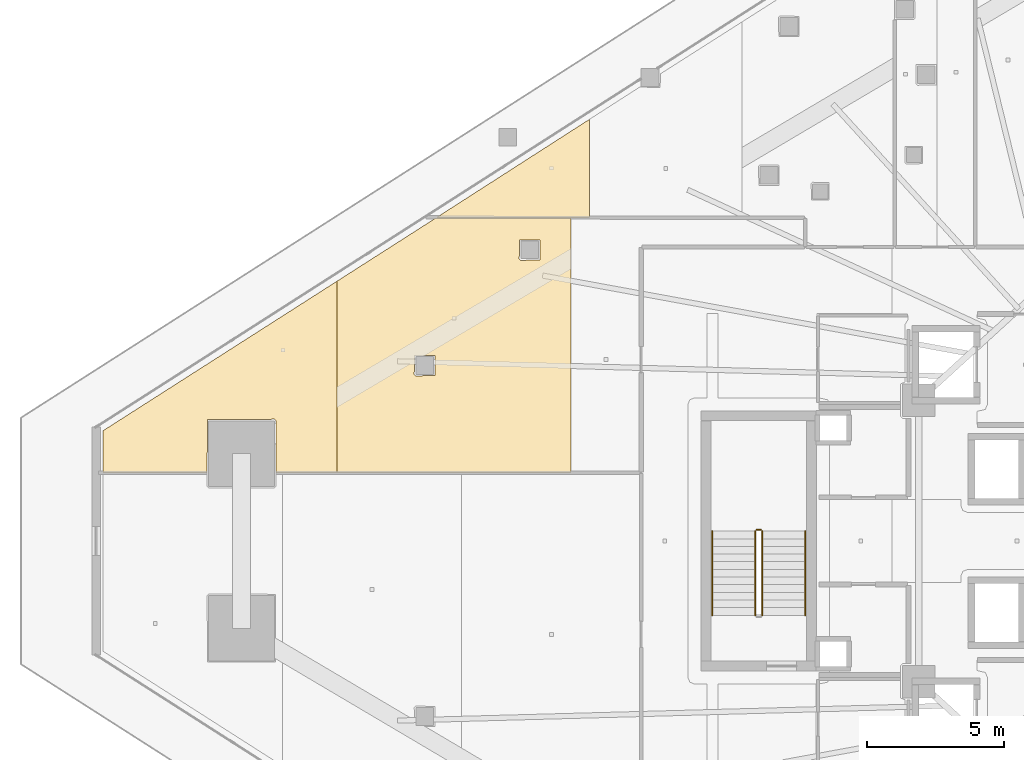
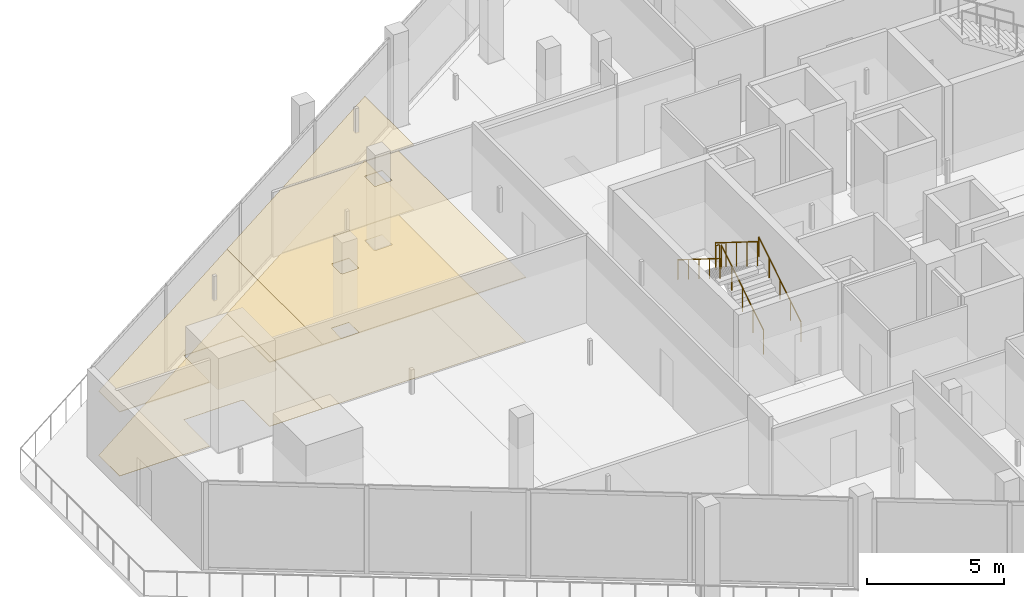
# One storey, part 40 of 44: 6 coverings, 5 railings.
"""IFC4 building model written with IfcOpenShell, lengths in metres."""

import ifcopenshell
import ifcopenshell.guid

model = None  # the IFC model being written
_history = None  # IfcOwnerHistory: only IFC2X3 demands one
_inside = {}  # id of a spatial element -> (the spatial element, [elements in it])
_under = {}  # id of a project, library or spatial element -> (it, [spatial elements below it])
_declared = {}  # id of a project -> (the project, [libraries it declares])
_typed = {}  # id of a type object -> (the type object, [elements of that type])
_made_of = {}  # id of a material, layer set ... -> (it, [elements and type objects made of it])


def new_model(schema):
    """Start an empty IFC model of exactly this schema.

    Asked for "IFC4X3", IfcOpenShell would pick the latest addendum, in which some entities
    have other attributes; the version numbers below select the first issue.
    IFC2X3 requires an IfcOwnerHistory on every rooted entity: one is made here for all.
    """
    global model, _history
    if schema == "IFC4X3":
        model = ifcopenshell.file(schema_version=(4, 3, 0, 0))
    else:
        model = ifcopenshell.file(schema=schema)
    _inside.clear()
    _under.clear()
    _declared.clear()
    _typed.clear()
    _made_of.clear()
    _history = None
    if model.schema == "IFC2X3":
        org = make("IfcOrganization", Name="unknown")
        user = make(
            "IfcPersonAndOrganization",
            ThePerson=make("IfcPerson", FamilyName="unknown"),
            TheOrganization=org,
        )
        app = make(
            "IfcApplication",
            ApplicationDeveloper=org,
            Version="unknown",
            ApplicationFullName="unknown",
            ApplicationIdentifier="unknown",
        )
        _history = make(
            "IfcOwnerHistory",
            OwningUser=user,
            OwningApplication=app,
            ChangeAction="ADDED",
            CreationDate=0,
        )
    return model


def make(cls, **values):
    """One entity of the class cls with the attributes given. An attribute that is None is left unset."""
    return model.create_entity(
        cls, **{name: value for name, value in values.items() if value is not None}
    )


def rooted(cls, **values):
    """An entity with a GlobalId (a new one), such as an element, a storey or a relation."""
    return make(cls, GlobalId=ifcopenshell.guid.new(), OwnerHistory=_history, **values)


def si_unit(unit_type, name, prefix=None):
    """IfcSIUnit, for example si_unit("LENGTHUNIT", "METRE", prefix="MILLI")."""
    return make("IfcSIUnit", UnitType=unit_type, Prefix=prefix, Name=name)


def assignment(units):
    """IfcUnitAssignment: the units of a project."""
    return None if units is None else make("IfcUnitAssignment", Units=units)


def point(xyz):
    """IfcCartesianPoint."""
    return None if xyz is None else make("IfcCartesianPoint", Coordinates=xyz)


def direction(xyz):
    """IfcDirection."""
    return None if xyz is None else make("IfcDirection", DirectionRatios=xyz)


def frame(location, z_axis=None, x_axis=None):
    """IfcAxis2Placement3D, a coordinate frame: its origin and axes. An axis left out is left unset."""
    return make(
        "IfcAxis2Placement3D",
        Location=point(location),
        Axis=direction(z_axis),
        RefDirection=direction(x_axis),
    )


def frame_2d(location, x_axis=None):
    """IfcAxis2Placement2D, a coordinate frame in the plane: its origin and x axis."""
    return make(
        "IfcAxis2Placement2D", Location=point(location), RefDirection=direction(x_axis)
    )


def origin():
    """The frame at (0, 0, 0) with its axes left unset."""
    return frame((0.0, 0.0, 0.0))


def origin_2d():
    """The frame at (0, 0) in the plane with its x axis left unset."""
    return frame_2d((0.0, 0.0))


def place(relative_to, where):
    """IfcLocalPlacement: puts the frame where relative to a parent placement (None: the world)."""
    return make(
        "IfcLocalPlacement", PlacementRelTo=relative_to, RelativePlacement=where
    )


def context(
    kind, dimensions, precision=None, world=None, true_north=None, identifier=None
):
    """IfcGeometricRepresentationContext, for example the 3D "Model" context."""
    return make(
        "IfcGeometricRepresentationContext",
        ContextIdentifier=identifier,
        ContextType=kind,
        CoordinateSpaceDimension=dimensions,
        Precision=precision,
        WorldCoordinateSystem=world,
        TrueNorth=true_north,
    )


def subcontext(parent, identifier, kind, view, scale=None):
    """IfcGeometricRepresentationSubContext, for example "Body" below "Model"."""
    return make(
        "IfcGeometricRepresentationSubContext",
        ContextIdentifier=identifier,
        ContextType=kind,
        ParentContext=parent,
        TargetScale=scale,
        TargetView=view,
    )


def project(units=None, contexts=None):
    """IfcProject with its units and contexts."""
    return rooted(
        "IfcProject",
        Name="project",
        RepresentationContexts=contexts,
        UnitsInContext=assignment(units),
    )


def spatial(cls, under=None, at=None, **own):
    """A site, building, storey or space (cls), placed at a placement, below another one or the project."""
    s = rooted(cls, ObjectPlacement=at, **own)
    if under is not None:
        _under.setdefault(under.id(), (under, []))[1].append(s)
    return s


def polyline(points):
    """IfcPolyline through the points."""
    return make("IfcPolyline", Points=[point(p) for p in points])


def profile(cls, at=None, kind="AREA", **sizes):
    """A parametric profile (cls). Its sizes go by their IFC names, for example OverallWidth=200.0."""
    return make(cls, ProfileType=kind, Position=at, **sizes)


def circle(**sizes):
    """IfcCircleProfileDef."""
    return profile("IfcCircleProfileDef", **sizes)


def outline(outer, holes=None, kind="AREA"):
    """IfcArbitraryClosedProfileDef: a profile drawn as a closed curve; with holes, ...WithVoids."""
    if holes is None:
        return make("IfcArbitraryClosedProfileDef", ProfileType=kind, OuterCurve=outer)
    return make(
        "IfcArbitraryProfileDefWithVoids",
        ProfileType=kind,
        OuterCurve=outer,
        InnerCurves=holes,
    )


def extrude(swept, where, along, depth):
    """IfcExtrudedAreaSolid: the profile swept, set in the frame where, extruded along a direction by depth."""
    return make(
        "IfcExtrudedAreaSolid",
        SweptArea=swept,
        Position=where,
        ExtrudedDirection=direction(along),
        Depth=depth,
    )


def shape(context_of_items, identifier, shape_type, items):
    """IfcShapeRepresentation: the items that make up one representation, for example the "Body"."""
    return make(
        "IfcShapeRepresentation",
        ContextOfItems=context_of_items,
        RepresentationIdentifier=identifier,
        RepresentationType=shape_type,
        Items=items,
    )


def material(Name=None, Category=None):
    """IfcMaterial."""
    return make("IfcMaterial", Name=Name, Category=Category)


def layer(
    of_material, thickness, ventilated=None, Name=None, Category=None, Priority=None
):
    """IfcMaterialLayer: one layer of a wall or slab, of a material (None: an air gap)."""
    return make(
        "IfcMaterialLayer",
        Material=of_material,
        LayerThickness=thickness,
        IsVentilated=ventilated,
        Name=Name,
        Category=Category,
        Priority=Priority,
    )


def layer_set(layers, Name=None):
    """IfcMaterialLayerSet."""
    return make("IfcMaterialLayerSet", MaterialLayers=layers, LayerSetName=Name)


def made_of(thing, what):
    """Note that an element or type object is made of a material, layer set ...; save() writes the relation."""
    if what is not None:
        _made_of.setdefault(what.id(), (what, []))[1].append(thing)
    return thing


def type_object(cls, material=None, **own):
    """A type object (cls), such as IfcWallType, which elements share."""
    return made_of(rooted(cls, **own), material)


def element(
    cls,
    number,
    at=None,
    inside=None,
    cuts=None,
    type_object=None,
    material=None,
    context=None,
    identifier="Body",
    shape_type=None,
    held_by="IfcProductDefinitionShape",
    body=None,
    shapes=None,
    **own,
):
    """One element of the class cls, such as IfcWall. Its Tag is "e" and its number.

    at: its placement. inside: the storey or other place that contains it. cuts: it is an
    opening in that element (IfcRelVoidsElement). A single representation is given by context,
    identifier, shape_type and body (its items); several are given by shapes. held_by: the class
    of the entity that holds the representations. save() writes the other relations.
    """
    e = rooted(cls, Tag="e%d" % number, ObjectPlacement=at, **own)
    if body is not None:
        shapes = [shape(context, identifier, shape_type, body)]
    if shapes is not None:
        e.Representation = make(held_by, Representations=shapes)
    if inside is not None:
        _inside.setdefault(inside.id(), (inside, []))[1].append(e)
    if cuts is not None:
        rooted(
            "IfcRelVoidsElement", RelatingBuildingElement=cuts, RelatedOpeningElement=e
        )
    if type_object is not None:
        _typed.setdefault(type_object.id(), (type_object, []))[1].append(e)
    return made_of(e, material)


def aggregate(whole, parts):
    """IfcRelAggregates: a whole, such as a stair, and the parts it consists of."""
    return rooted("IfcRelAggregates", RelatingObject=whole, RelatedObjects=parts)


def save(model, path):
    """Write the relations noted so far, then the file.

    IfcRelAggregates (storeys below a building ...), IfcRelContainedInSpatialStructure (elements
    in a storey), IfcRelDefinesByType, IfcRelAssociatesMaterial and IfcRelDeclares: one each for
    every whole, place, type object, material and project.
    """
    for whole, parts in _under.values():
        aggregate(whole, parts)
    for where, things in _inside.values():
        rooted(
            "IfcRelContainedInSpatialStructure",
            RelatedElements=things,
            RelatingStructure=where,
        )
    for kind, things in _typed.values():
        rooted("IfcRelDefinesByType", RelatedObjects=things, RelatingType=kind)
    for what, things in _made_of.values():
        rooted("IfcRelAssociatesMaterial", RelatedObjects=things, RelatingMaterial=what)
    for by, libraries in _declared.values():
        rooted("IfcRelDeclares", RelatingContext=by, RelatedDefinitions=libraries)
    model.write(path)


model = new_model("IFC4")

# Units and contexts
model_context = context("Model", 3, precision=1e-05, world=origin(), true_north=direction((0.0, 1.0)))
body_context = subcontext(model_context, "Body", "Model", "MODEL_VIEW")
ifc_project = project(units=[si_unit("LENGTHUNIT", "METRE"), si_unit("AREAUNIT", "SQUARE_METRE"), si_unit("VOLUMEUNIT", "CUBIC_METRE"), si_unit("PLANEANGLEUNIT", "RADIAN"), si_unit("MASSUNIT", "GRAM", prefix="KILO")], contexts=[model_context])

# Site, building, storey
site_placement = place(None, origin())
site = spatial("IfcSite", under=ifc_project, at=site_placement, CompositionType="ELEMENT")
building_placement = place(site_placement, origin())
building = spatial("IfcBuilding", under=site, at=building_placement, Name="Qorvath Tower", CompositionType="ELEMENT")
storey_placement = place(building_placement, frame((0.0, 0.0, 53.39990234375)))
storey = spatial("IfcBuildingStorey", under=building, at=storey_placement, Name="L11", CompositionType="ELEMENT", Elevation=53.39990234375)

# Coverings
ifc_material_1 = material(Name="Acoustic mineral fibre ceiling tile", Category="gypsum")
ifc_layer_1 = layer(ifc_material_1, 0.030029296875)
ifc_layer_set_1 = layer_set([ifc_layer_1], Name="COV-CEIL")
covering_type_1 = type_object("IfcCoveringType", Name="COV-CEIL", PredefinedType="CEILING", material=ifc_layer_set_1)
covering_1_placement = place(storey_placement, frame((0.0, 0.0, 2.85009765625)))
element("IfcCovering", 1, at=covering_1_placement, inside=storey, type_object=covering_type_1, Name="L11 Suspended Acoustic Ceiling 010", PredefinedType="CEILING", context=body_context, shape_type="SweptSolid", body=[
    extrude(outline(polyline([(-42.54833984375, 11.84033203125), (-42.54833984375, 15.4296875), (-48.1318359375, 11.8447265625), (-42.54833984375, 11.84033203125)])), origin(), (0.0, 0.0, 1.0), 0.030029296875),
])
covering_2_placement = place(storey_placement, frame((0.0, 0.0, 2.85009765625)))
element("IfcCovering", 2, at=covering_2_placement, inside=storey, type_object=covering_type_1, Name="L11 Suspended Acoustic Ceiling 047", PredefinedType="CEILING", context=body_context, shape_type="SweptSolid", body=[
    extrude(outline(polyline([(-60.345947265625, 4.036376953125), (-60.345947265625, 2.512451171875), (-56.54296875, 2.512451171875), (-56.525390625, 4.43701171875), (-54.0830078125, 4.45458984375), (-54.02294921875, 4.39453125), (-54.02294921875, 2.512451171875), (-51.784912109375, 2.512451171875), (-51.784912109375, 9.508056640625), (-60.345947265625, 4.036376953125)])), origin(), (0.0, 0.0, 1.0), 0.030029296875),
])
covering_3_placement = place(storey_placement, frame((0.0, 0.0, 2.85009765625)))
element("IfcCovering", 3, at=covering_3_placement, inside=storey, type_object=covering_type_1, Name="L11 Suspended Acoustic Ceiling 048", PredefinedType="CEILING", context=body_context, shape_type="SweptSolid", body=[
    extrude(outline(polyline([(-51.784912109375, 9.508056640625), (-51.784912109375, 2.512451171875), (-43.22412109375, 2.512451171875), (-43.22412109375, 11.822998046875), (-48.15673828125, 11.826904296875), (-51.784912109375, 9.508056640625)]), holes=[polyline([(-45.121337890625, 10.327392578125), (-45.103759765625, 11.019775390625), (-44.368896484375, 11.019775390625), (-44.368896484375, 10.284912109375), (-45.061279296875, 10.267333984375), (-45.121337890625, 10.327392578125)]), polyline([(-48.96337890625, 6.099609375), (-48.94580078125, 6.7919921875), (-48.2109375, 6.7919921875), (-48.2109375, 6.05712890625), (-48.9033203125, 6.03955078125), (-48.96337890625, 6.099609375)])]), origin(), (0.0, 0.0, 1.0), 0.030029296875),
])
ifc_material_2 = material(Name="Low-VOC modular carpet tile", Category="textile")
ifc_layer_2 = layer(ifc_material_2, 0.014892578125)
ifc_layer_set_2 = layer_set([ifc_layer_2], Name="COV-FLOOR-CPT")
covering_type_2 = type_object("IfcCoveringType", Name="COV-FLOOR-CPT", PredefinedType="FLOORING", material=ifc_layer_set_2)
covering_4_placement = place(storey_placement, origin())
element("IfcCovering", 4, at=covering_4_placement, inside=storey, type_object=covering_type_2, Name="L11 Floor Finish 010", PredefinedType="FLOORING", context=body_context, shape_type="SweptSolid", body=[
    extrude(outline(polyline([(-42.54833984375, 11.84033203125), (-42.54833984375, 15.4296875), (-48.1318359375, 11.8447265625), (-42.54833984375, 11.84033203125)])), origin(), (0.0, 0.0, 1.0), 0.01513671875),
])
covering_5_placement = place(storey_placement, origin())
element("IfcCovering", 5, at=covering_5_placement, inside=storey, type_object=covering_type_2, Name="L11 Floor Finish 047", PredefinedType="FLOORING", context=body_context, shape_type="SweptSolid", body=[
    extrude(outline(polyline([(-60.345947265625, 4.036376953125), (-60.345947265625, 2.512451171875), (-56.54296875, 2.512451171875), (-56.525390625, 4.43701171875), (-54.0830078125, 4.45458984375), (-54.02294921875, 4.39453125), (-54.02294921875, 2.512451171875), (-51.784912109375, 2.512451171875), (-51.784912109375, 9.508056640625), (-60.345947265625, 4.036376953125)])), origin(), (0.0, 0.0, 1.0), 0.01513671875),
])
covering_6_placement = place(storey_placement, origin())
element("IfcCovering", 6, at=covering_6_placement, inside=storey, type_object=covering_type_2, Name="L11 Floor Finish 048", PredefinedType="FLOORING", context=body_context, shape_type="SweptSolid", body=[
    extrude(outline(polyline([(-51.784912109375, 9.508056640625), (-51.784912109375, 2.512451171875), (-43.22412109375, 2.512451171875), (-43.22412109375, 11.822998046875), (-48.15673828125, 11.826904296875), (-51.784912109375, 9.508056640625)]), holes=[polyline([(-45.121337890625, 10.327392578125), (-45.103759765625, 11.019775390625), (-44.368896484375, 11.019775390625), (-44.368896484375, 10.284912109375), (-45.061279296875, 10.267333984375), (-45.121337890625, 10.327392578125)]), polyline([(-48.96337890625, 6.099609375), (-48.94580078125, 6.7919921875), (-48.2109375, 6.7919921875), (-48.2109375, 6.05712890625), (-48.9033203125, 6.03955078125), (-48.96337890625, 6.099609375)])]), origin(), (0.0, 0.0, 1.0), 0.01513671875),
])

# Railings
ifc_material_3 = material(Name="Painted galvanised steel", Category="steel")
railing_type_1 = type_object("IfcRailingType", Name="RL-STR-GRD", PredefinedType="GUARDRAIL", material=ifc_material_3)
railing_1_placement = place(storey_placement, frame((-36.22998046875, -2.719970703125, 0.175048828125)))
element("IfcRailing", 7, at=railing_1_placement, inside=storey, type_object=railing_type_1, Name="L11 TS3 stair guard 1", PredefinedType="GUARDRAIL", context=body_context, shape_type="SweptSolid", body=[
    extrude(circle(Radius=0.02392578125, at=origin_2d()), frame((0.0, 0.0, 1.076171875), z_axis=(0.0, 0.847998304005, 0.529998940003), x_axis=(-1.0, 0.0, 0.0)), (0.0, 0.0, 1.0), 3.632080078125),
    extrude(circle(Radius=0.02099609375, at=origin_2d()), origin(), (0.0, 0.0, 1.0), 1.052001953125),
    extrude(circle(Radius=0.02099609375, at=origin_2d()), frame((0.0, 0.77001953125, 0.481201171875)), (0.0, 0.0, 1.0), 1.052001953125),
    extrude(circle(Radius=0.02099609375, at=origin_2d()), frame((0.0, 1.5400390625, 0.96240234375)), (0.0, 0.0, 1.0), 1.052001953125),
    extrude(circle(Radius=0.02099609375, at=origin_2d()), frame((0.0, 2.31005859375, 1.44384765625)), (0.0, 0.0, 1.0), 1.052001953125),
    extrude(circle(Radius=0.02099609375, at=origin_2d()), frame((0.0, 3.080078125, 1.925048828125)), (0.0, 0.0, 1.0), 1.052001953125),
])
railing_2_placement = place(storey_placement, frame((-36.280029296875, 0.409912109375, 2.10009765625)))
element("IfcRailing", 8, at=railing_2_placement, inside=storey, type_object=railing_type_1, Name="L11 TS3 stair guard 2", PredefinedType="GUARDRAIL", context=body_context, shape_type="SweptSolid", body=[
    extrude(circle(Radius=0.02392578125, at=origin_2d()), frame((0.0, 0.0, 1.076171875), z_axis=(-1.0, 0.0, 0.0), x_axis=(0.0, -1.0, 0.0)), (0.0, 0.0, 1.0), 0.14990234375),
    extrude(circle(Radius=0.02099609375, at=origin_2d()), origin(), (0.0, 0.0, 1.0), 1.052001953125),
    extrude(circle(Radius=0.02099609375, at=origin_2d()), frame((-0.14990234375, 0.0, 0.0)), (0.0, 0.0, 1.0), 1.052001953125),
])
railing_3_placement = place(storey_placement, frame((-36.47998046875, 0.360107421875, 2.275146484375)))
element("IfcRailing", 9, at=railing_3_placement, inside=storey, type_object=railing_type_1, Name="L11 TS3 stair guard 3", PredefinedType="GUARDRAIL", context=body_context, shape_type="SweptSolid", body=[
    extrude(circle(Radius=0.02392578125, at=origin_2d()), frame((0.0, 0.0, 1.076171875), z_axis=(0.0, -0.847998304005, 0.529998940003), x_axis=(1.0, 0.0, 0.0)), (0.0, 0.0, 1.0), 3.632080078125),
    extrude(circle(Radius=0.02099609375, at=origin_2d()), origin(), (0.0, 0.0, 1.0), 1.052001953125),
    extrude(circle(Radius=0.02099609375, at=origin_2d()), frame((0.0, -0.77001953125, 0.481201171875)), (0.0, 0.0, 1.0), 1.052001953125),
    extrude(circle(Radius=0.02099609375, at=origin_2d()), frame((0.0, -1.5400390625, 0.96240234375)), (0.0, 0.0, 1.0), 1.052001953125),
    extrude(circle(Radius=0.02099609375, at=origin_2d()), frame((0.0, -2.31005859375, 1.44384765625)), (0.0, 0.0, 1.0), 1.052001953125),
    extrude(circle(Radius=0.02099609375, at=origin_2d()), frame((0.0, -3.080078125, 1.925048828125)), (0.0, 0.0, 1.0), 1.052001953125),
])
ifc_material_4 = material(Name="Brushed stainless steel AISI 304", Category="steel")
railing_type_2 = type_object("IfcRailingType", Name="RL-STR-HND", PredefinedType="HANDRAIL", material=ifc_material_4)
railing_4_placement = place(storey_placement, frame((-34.64990234375, -2.719970703125, 0.175048828125)))
element("IfcRailing", 10, at=railing_4_placement, inside=storey, type_object=railing_type_2, Name="L11 TS3 stair handrail 1", PredefinedType="HANDRAIL", context=body_context, shape_type="SweptSolid", body=[
    extrude(circle(Radius=0.02392578125, at=origin_2d()), frame((0.0, 0.0, 0.8759765625), z_axis=(0.0, 0.847998304005, 0.529998940003), x_axis=(-1.0, 0.0, 0.0)), (0.0, 0.0, 1.0), 3.632080078125),
    extrude(circle(Radius=0.02099609375, at=origin_2d()), origin(), (0.0, 0.0, 1.0), 0.851806640625),
    extrude(circle(Radius=0.02099609375, at=origin_2d()), frame((0.0, 0.77001953125, 0.481201171875)), (0.0, 0.0, 1.0), 0.851806640625),
    extrude(circle(Radius=0.02099609375, at=origin_2d()), frame((0.0, 1.5400390625, 0.96240234375)), (0.0, 0.0, 1.0), 0.851806640625),
    extrude(circle(Radius=0.02099609375, at=origin_2d()), frame((0.0, 2.31005859375, 1.44384765625)), (0.0, 0.0, 1.0), 0.851806640625),
    extrude(circle(Radius=0.02099609375, at=origin_2d()), frame((0.0, 3.080078125, 1.925048828125)), (0.0, 0.0, 1.0), 0.851806640625),
])
railing_5_placement = place(storey_placement, frame((-38.06005859375, 0.360107421875, 2.275146484375)))
element("IfcRailing", 11, at=railing_5_placement, inside=storey, type_object=railing_type_2, Name="L11 TS3 stair handrail 2", PredefinedType="HANDRAIL", context=body_context, shape_type="SweptSolid", body=[
    extrude(circle(Radius=0.02392578125, at=origin_2d()), frame((0.0, 0.0, 0.8759765625), z_axis=(0.0, -0.847998304005, 0.529998940003), x_axis=(1.0, 0.0, 0.0)), (0.0, 0.0, 1.0), 3.632080078125),
    extrude(circle(Radius=0.02099609375, at=origin_2d()), origin(), (0.0, 0.0, 1.0), 0.851806640625),
    extrude(circle(Radius=0.02099609375, at=origin_2d()), frame((0.0, -0.77001953125, 0.481201171875)), (0.0, 0.0, 1.0), 0.851806640625),
    extrude(circle(Radius=0.02099609375, at=origin_2d()), frame((0.0, -1.5400390625, 0.96240234375)), (0.0, 0.0, 1.0), 0.851806640625),
    extrude(circle(Radius=0.02099609375, at=origin_2d()), frame((0.0, -2.31005859375, 1.44384765625)), (0.0, 0.0, 1.0), 0.851806640625),
    extrude(circle(Radius=0.02099609375, at=origin_2d()), frame((0.0, -3.080078125, 1.925048828125)), (0.0, 0.0, 1.0), 0.851806640625),
])

save(model, "model.ifc")
